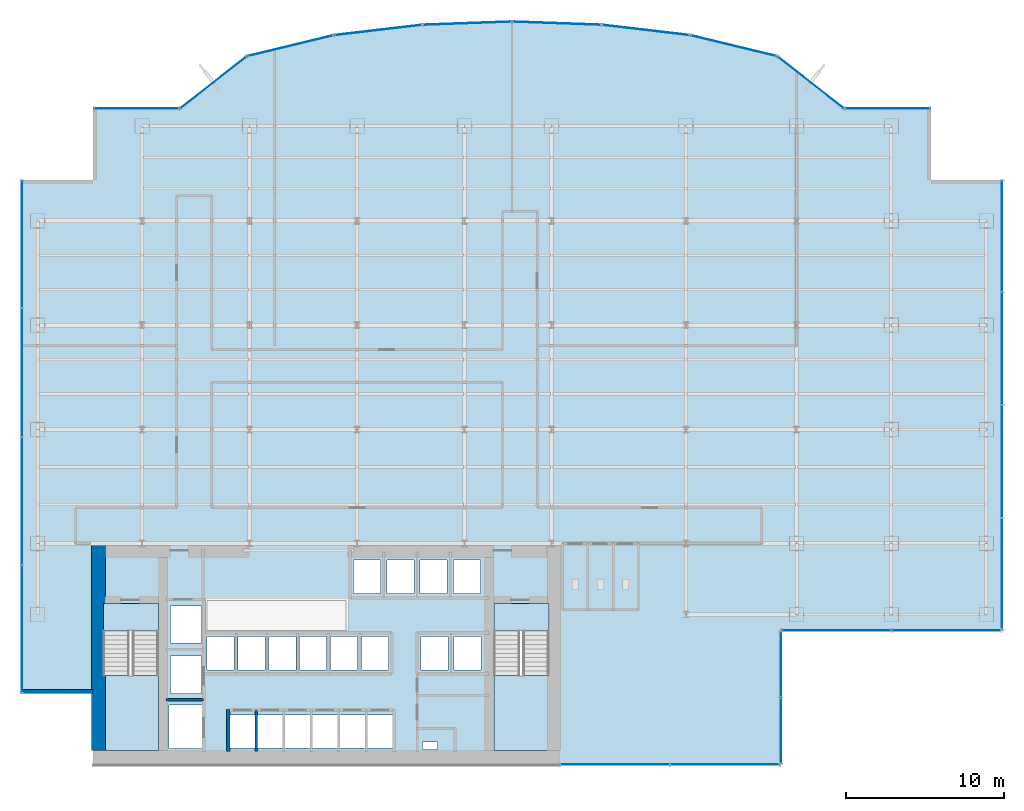
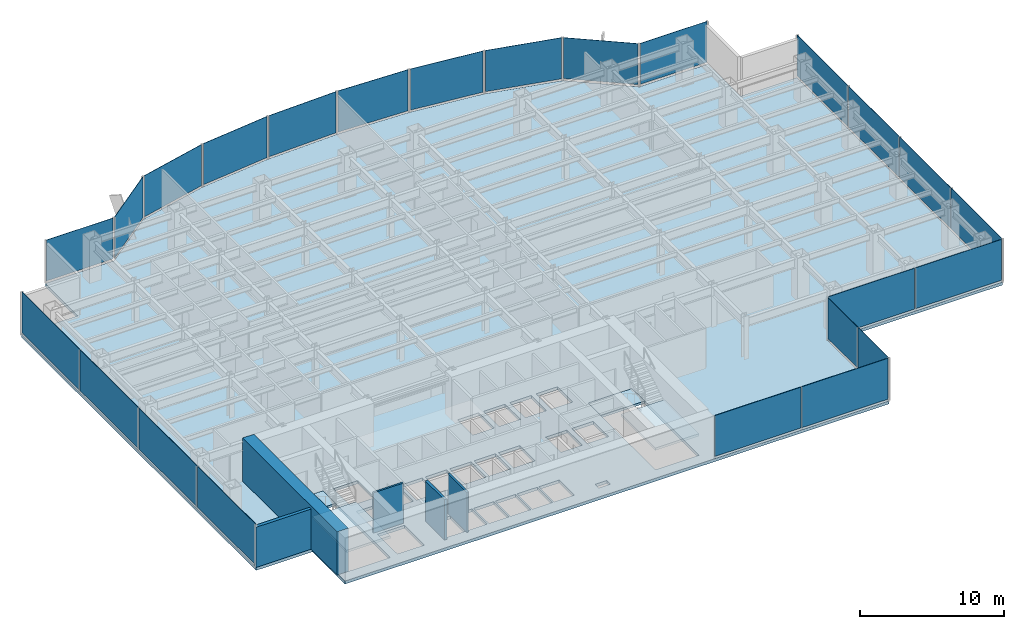
# One storey, part 17 of 23: 24 plates, 5 slabs, 5 walls, 17 elements without a shape of their own.
"""IFC4 building model written with IfcOpenShell, lengths in metres."""

from ifc_helpers import new_model, si_unit, derived_unit, direction, frame, frame_2d, origin, origin_2d, place, context, subcontext, project, spatial, polyline, rectangle, outline, extrude, source, transform, mapped, material, layer, layer_set, type_object, element, aggregate, save


model = new_model("IFC4")

# Units and contexts
model_context = context("Model", 3, precision=1e-05, world=origin(), true_north=direction((0.0, 1.0)))
body_context = subcontext(model_context, "Body", "Model", "MODEL_VIEW")
ifc_project = project(units=[si_unit("LENGTHUNIT", "METRE"), si_unit("AREAUNIT", "SQUARE_METRE"), si_unit("VOLUMEUNIT", "CUBIC_METRE"), si_unit("PLANEANGLEUNIT", "RADIAN"), si_unit("MASSUNIT", "GRAM", prefix="KILO"), derived_unit("THERMALTRANSMITTANCEUNIT", [(si_unit("POWERUNIT", "WATT"), 1), (si_unit("LENGTHUNIT", "METRE"), -2), (si_unit("THERMODYNAMICTEMPERATUREUNIT", "KELVIN"), -1)])], contexts=[model_context])

# Site, building, storey
site_placement = place(None, origin())
site = spatial("IfcSite", under=ifc_project, at=site_placement, CompositionType="ELEMENT")
building_placement = place(site_placement, origin())
building = spatial("IfcBuilding", under=site, at=building_placement, Name="Skarnbrae Concourse Arena and Tower", CompositionType="ELEMENT")
storey_placement = place(building_placement, frame((0.0, 0.0, 43.449951171875)))
storey = spatial("IfcBuildingStorey", under=building, at=storey_placement, Name="L09", CompositionType="ELEMENT", Elevation=43.449951171875)

# Stair, slab
ifc_material_1 = material(Name="Concrete 40 MPa (C40/50)", Category="concrete")
stair_type = type_object("IfcStairType", Name="STAIR-DOGLEG-1650", PredefinedType="HALF_TURN_STAIR", material=ifc_material_1)
stair_1_placement = place(storey_placement, origin())
stair_1 = element("IfcStair", 1, at=stair_1_placement, inside=storey, type_object=stair_type, Name="L09 Protected Exit Stair ST-1", PredefinedType="HALF_TURN_STAIR")
ifc_layer_1 = layer(ifc_material_1, 0.199951171875)
ifc_layer_set_1 = layer_set([ifc_layer_1], Name="Concrete 40 MPa (C40/50)")
slab_type_1 = type_object("IfcSlabType", Name="SLAB-LANDING-200", PredefinedType="LANDING", material=ifc_layer_set_1)
slab_1_placement = place(storey_placement, frame((0.0, 0.0, 1.625)))
slab_1 = element("IfcSlab", 2, at=slab_1_placement, type_object=slab_type_1, Name="ST-1 landing 1", PredefinedType="LANDING", context=body_context, shape_type="SweptSolid", body=[
    extrude(outline(polyline([(5.14990234375, 5.64990234375), (5.14990234375, 0.89990234375), (8.64990234375, 0.89990234375), (8.64990234375, 5.64990234375), (5.14990234375, 5.64990234375)])), origin(), (0.0, 0.0, 1.0), 0.199951171875),
])
aggregate(stair_1, [slab_1])

stair_2_placement = place(storey_placement, origin())
stair_2 = element("IfcStair", 3, at=stair_2_placement, inside=storey, type_object=stair_type, Name="L09 Protected Exit Stair ST-2", PredefinedType="HALF_TURN_STAIR")
slab_2_placement = place(storey_placement, frame((0.0, 0.0, 1.625)))
slab_2 = element("IfcSlab", 4, at=slab_2_placement, type_object=slab_type_1, Name="ST-2 landing 1", PredefinedType="LANDING", context=body_context, shape_type="SweptSolid", body=[
    extrude(outline(polyline([(29.85009765625, 5.64990234375), (29.85009765625, 0.89990234375), (33.35009765625, 0.89990234375), (33.35009765625, 5.64990234375), (29.85009765625, 5.64990234375)])), origin(), (0.0, 0.0, 1.0), 0.199951171875),
])
aggregate(stair_2, [slab_2])

# Slabs
slab_3_placement = place(storey_placement, frame((0.0, 0.0, -0.199951171875)))
element("IfcSlab", 5, at=slab_3_placement, inside=storey, type_object=slab_type_1, Name="L09 Core stair ST1 floor landing", PredefinedType="LANDING", context=body_context, shape_type="SweptSolid", body=[
    extrude(outline(polyline([(5.14990234375, 10.199951171875), (5.14990234375, 8.449951171875), (8.64990234375, 8.449951171875), (8.64990234375, 10.199951171875), (5.14990234375, 10.199951171875)])), origin(), (0.0, 0.0, 1.0), 0.199951171875),
])
slab_4_placement = place(storey_placement, frame((0.0, 0.0, -0.199951171875)))
element("IfcSlab", 6, at=slab_4_placement, inside=storey, type_object=slab_type_1, Name="L09 Core stair ST2 floor landing", PredefinedType="LANDING", context=body_context, shape_type="SweptSolid", body=[
    extrude(outline(polyline([(29.85009765625, 10.199951171875), (29.85009765625, 8.449951171875), (33.35009765625, 8.449951171875), (33.35009765625, 10.199951171875), (29.85009765625, 10.199951171875)])), origin(), (0.0, 0.0, 1.0), 0.199951171875),
])
ifc_layer_2 = layer(ifc_material_1, 0.25)
ifc_layer_set_2 = layer_set([ifc_layer_2], Name="Concrete 40 MPa (C40/50)")
slab_type_2 = type_object("IfcSlabType", Name="SLAB-TOWER-250", PredefinedType="FLOOR", material=ifc_layer_set_2)
slab_5_placement = place(storey_placement, frame((0.0, 0.0, -0.25)))
element("IfcSlab", 7, at=slab_5_placement, inside=storey, type_object=slab_type_2, Name="L09 Structural floor slab", PredefinedType="FLOOR", context=body_context, shape_type="SweptSolid", body=[
    extrude(outline(polyline([(4.5, 0.0), (48.0, 0.0), (48.0, 8.5), (62.0, 8.5), (62.0, 37.0), (57.5, 37.0), (57.5, 41.5), (52.0, 41.5), (47.766357421875, 44.811767578125), (42.2724609375, 46.140380859375), (36.65380859375, 46.796875), (31.0, 47.0), (25.34619140625, 46.796875), (19.7275390625, 46.140380859375), (14.233642578125, 44.811767578125), (10.0, 41.5), (4.5, 41.5), (4.5, 37.0), (0.0, 37.0), (0.0, 4.5), (4.5, 4.5), (4.5, 0.0)]), holes=[polyline([(13.14501953125, 3.155029296875), (14.7548828125, 3.155029296875), (14.7548828125, 1.044921875), (13.14501953125, 1.044921875), (13.14501953125, 3.155029296875)]), polyline([(16.4951171875, 3.155029296875), (16.4951171875, 1.044921875), (14.885009765625, 1.044921875), (14.885009765625, 3.155029296875), (16.4951171875, 3.155029296875)]), polyline([(18.235107421875, 3.155029296875), (18.235107421875, 1.044921875), (16.625, 1.044921875), (16.625, 3.155029296875), (18.235107421875, 3.155029296875)]), polyline([(18.364990234375, 3.155029296875), (19.97509765625, 3.155029296875), (19.97509765625, 1.044921875), (18.364990234375, 1.044921875), (18.364990234375, 3.155029296875)]), polyline([(11.455078125, 3.780029296875), (11.455078125, 1.02001953125), (9.294921875, 1.02001953125), (9.294921875, 3.780029296875), (11.455078125, 3.780029296875)]), polyline([(8.64990234375, 0.89990234375), (5.14990234375, 0.89990234375), (5.14990234375, 10.199951171875), (8.64990234375, 10.199951171875), (8.64990234375, 0.89990234375)]), polyline([(9.39501953125, 6.8798828125), (11.35498046875, 6.8798828125), (11.35498046875, 4.52001953125), (9.39501953125, 4.52001953125), (9.39501953125, 6.8798828125)]), polyline([(13.429931640625, 8.10498046875), (13.429931640625, 5.9951171875), (11.719970703125, 5.9951171875), (11.719970703125, 8.10498046875), (13.429931640625, 8.10498046875)]), polyline([(15.3798828125, 8.10498046875), (15.3798828125, 5.9951171875), (13.669921875, 5.9951171875), (13.669921875, 8.10498046875), (15.3798828125, 8.10498046875)]), polyline([(15.6201171875, 8.10498046875), (17.330078125, 8.10498046875), (17.330078125, 5.9951171875), (15.6201171875, 5.9951171875), (15.6201171875, 8.10498046875)]), polyline([(19.280029296875, 8.10498046875), (19.280029296875, 5.9951171875), (17.570068359375, 5.9951171875), (17.570068359375, 8.10498046875), (19.280029296875, 8.10498046875)]), polyline([(11.35498046875, 10.054931640625), (11.35498046875, 7.695068359375), (9.39501953125, 7.695068359375), (9.39501953125, 10.054931640625), (11.35498046875, 10.054931640625)]), polyline([(25.35009765625, 1.449951171875), (26.280029296875, 1.449951171875), (26.280029296875, 0.949951171875), (25.35009765625, 0.949951171875), (25.35009765625, 1.449951171875)]), polyline([(21.715087890625, 3.155029296875), (21.715087890625, 1.044921875), (20.10498046875, 1.044921875), (20.10498046875, 3.155029296875), (21.715087890625, 3.155029296875)]), polyline([(23.455078125, 3.155029296875), (23.455078125, 1.044921875), (21.844970703125, 1.044921875), (21.844970703125, 3.155029296875), (23.455078125, 3.155029296875)]), polyline([(33.35009765625, 10.199951171875), (33.35009765625, 0.89990234375), (29.85009765625, 0.89990234375), (29.85009765625, 10.199951171875), (33.35009765625, 10.199951171875)]), polyline([(21.22998046875, 8.10498046875), (21.22998046875, 5.9951171875), (19.52001953125, 5.9951171875), (19.52001953125, 8.10498046875), (21.22998046875, 8.10498046875)]), polyline([(23.179931640625, 8.10498046875), (23.179931640625, 5.9951171875), (21.469970703125, 5.9951171875), (21.469970703125, 8.10498046875), (23.179931640625, 8.10498046875)]), polyline([(25.235107421875, 8.10498046875), (26.945068359375, 8.10498046875), (26.945068359375, 5.9951171875), (25.235107421875, 5.9951171875), (25.235107421875, 8.10498046875)]), polyline([(29.044921875, 8.10498046875), (29.044921875, 5.9951171875), (27.3349609375, 5.9951171875), (27.3349609375, 8.10498046875), (29.044921875, 8.10498046875)]), polyline([(22.695068359375, 12.955078125), (22.695068359375, 10.844970703125), (20.985107421875, 10.844970703125), (20.985107421875, 12.955078125), (22.695068359375, 12.955078125)]), polyline([(23.0849609375, 12.955078125), (24.794921875, 12.955078125), (24.794921875, 10.844970703125), (23.0849609375, 10.844970703125), (23.0849609375, 12.955078125)]), polyline([(26.89501953125, 12.955078125), (26.89501953125, 10.844970703125), (25.18505859375, 10.844970703125), (25.18505859375, 12.955078125), (26.89501953125, 12.955078125)]), polyline([(28.9951171875, 12.955078125), (28.9951171875, 10.844970703125), (27.284912109375, 10.844970703125), (27.284912109375, 12.955078125), (28.9951171875, 12.955078125)])]), origin(), (0.0, 0.0, 1.0), 0.25),
])

# Curtain wall, plates
ifc_material_2 = material(Name="Bronze anodised aluminium 6063-T6", Category="aluminium")
curtain_wall_type_1 = type_object("IfcCurtainWallType", Name="CW-SYS-02-LOWZONE", PredefinedType="USERDEFINED", material=ifc_material_2)
curtain_wall_1_placement = place(storey_placement, origin())
curtain_wall_1 = element("IfcCurtainWall", 8, at=curtain_wall_1_placement, inside=storey, type_object=curtain_wall_type_1, Name="L09 Unitised curtain wall CW-L09-SE-SPINE", ObjectType="UNITISED CURTAIN WALL", PredefinedType="USERDEFINED")
ifc_material_3 = material(Name="Low-E triple insulating glass", Category="glass")
ifc_layer_3 = layer(ifc_material_3, 0.031982421875)
ifc_layer_set_3 = layer_set([ifc_layer_3], Name="Low-E triple insulating glass")
plate_type_1 = type_object("IfcPlateType", Name="CWP-CW-02", PredefinedType="CURTAIN_PANEL", material=ifc_layer_set_3)
shared_shape_1 = source(origin(), body_context, "Body", "SweptSolid", [
    extrude(rectangle(XDim=6.8798828125, YDim=0.031982421875, at=origin_2d()), origin(), (0.0, 0.0, 1.0), 3.4599609375),
])
plate_1_placement = place(storey_placement, frame((37.52001953125, 0.0, 0.190185546875), z_axis=(0.0, 0.0, 1.0), x_axis=(1.0, 0.0, 0.0)))
plate_1 = element("IfcPlate", 9, at=plate_1_placement, type_object=plate_type_1, Name="CW-L09-SE-SPINE Low-E Glazing Panel 1", PredefinedType="CURTAIN_PANEL", context=body_context, shape_type="MappedRepresentation", body=[
    mapped(shared_shape_1, transform((0.0, 0.0, 0.0))),
])
plate_2_placement = place(storey_placement, frame((44.47998046875, 0.0, 0.190185546875), z_axis=(0.0, 0.0, 1.0), x_axis=(1.0, 0.0, 0.0)))
plate_2 = element("IfcPlate", 10, at=plate_2_placement, type_object=plate_type_1, Name="CW-L09-SE-SPINE Low-E Glazing Panel 2", PredefinedType="CURTAIN_PANEL", context=body_context, shape_type="MappedRepresentation", body=[
    mapped(shared_shape_1, transform((0.0, 0.0, 0.0))),
])
aggregate(curtain_wall_1, [plate_1, plate_2])

curtain_wall_2_placement = place(storey_placement, origin())
curtain_wall_2 = element("IfcCurtainWall", 11, at=curtain_wall_2_placement, inside=storey, type_object=curtain_wall_type_1, Name="L09 Unitised curtain wall CW-L09-E03", ObjectType="UNITISED CURTAIN WALL", PredefinedType="USERDEFINED")
plate_3_placement = place(storey_placement, frame((51.52001953125, 8.5, 0.190185546875), z_axis=(0.0, 0.0, 1.0), x_axis=(1.0, 0.0, 0.0)))
plate_3 = element("IfcPlate", 12, at=plate_3_placement, type_object=plate_type_1, Name="CW-L09-E03 Low-E Glazing Panel 1", PredefinedType="CURTAIN_PANEL", context=body_context, shape_type="MappedRepresentation", body=[
    mapped(shared_shape_1, transform((0.0, 0.0, 0.0))),
])
plate_4_placement = place(storey_placement, frame((58.47998046875, 8.5, 0.190185546875), z_axis=(0.0, 0.0, 1.0), x_axis=(1.0, 0.0, 0.0)))
plate_4 = element("IfcPlate", 13, at=plate_4_placement, type_object=plate_type_1, Name="CW-L09-E03 Low-E Glazing Panel 2", PredefinedType="CURTAIN_PANEL", context=body_context, shape_type="MappedRepresentation", body=[
    mapped(shared_shape_1, transform((0.0, 0.0, 0.0))),
])
aggregate(curtain_wall_2, [plate_3, plate_4])

curtain_wall_3_placement = place(storey_placement, origin())
curtain_wall_3 = element("IfcCurtainWall", 14, at=curtain_wall_3_placement, inside=storey, type_object=curtain_wall_type_1, Name="L09 Unitised curtain wall CW-L09-E02", ObjectType="UNITISED CURTAIN WALL", PredefinedType="USERDEFINED")
shared_shape_2 = source(origin(), body_context, "Body", "SweptSolid", [
    extrude(rectangle(XDim=4.1298828125, YDim=0.031982421875, at=origin_2d()), origin(), (0.0, 0.0, 1.0), 3.4599609375),
])
plate_5_placement = place(storey_placement, frame((48.0, 2.14501953125, 0.190185546875), z_axis=(0.0, 0.0, 1.0), x_axis=(0.0, 1.0, 0.0)))
plate_5 = element("IfcPlate", 15, at=plate_5_placement, type_object=plate_type_1, Name="CW-L09-E02 Low-E Glazing Panel 1", PredefinedType="CURTAIN_PANEL", context=body_context, shape_type="MappedRepresentation", body=[
    mapped(shared_shape_2, transform((0.0, 0.0, 0.0))),
])
plate_6_placement = place(storey_placement, frame((48.0, 6.35498046875, 0.190185546875), z_axis=(0.0, 0.0, 1.0), x_axis=(0.0, 1.0, 0.0)))
plate_6 = element("IfcPlate", 16, at=plate_6_placement, type_object=plate_type_1, Name="CW-L09-E02 Low-E Glazing Panel 2", PredefinedType="CURTAIN_PANEL", context=body_context, shape_type="MappedRepresentation", body=[
    mapped(shared_shape_2, transform((0.0, 0.0, 0.0))),
])
aggregate(curtain_wall_3, [plate_5, plate_6])

curtain_wall_4_placement = place(storey_placement, origin())
curtain_wall_4 = element("IfcCurtainWall", 17, at=curtain_wall_4_placement, inside=storey, type_object=curtain_wall_type_1, Name="L09 Unitised curtain wall CW-L09-E04", ObjectType="UNITISED CURTAIN WALL", PredefinedType="USERDEFINED")
shared_shape_3 = source(origin(), body_context, "Body", "SweptSolid", [
    extrude(rectangle(XDim=7.0048828125, YDim=0.031982421875, at=origin_2d()), origin(), (0.0, 0.0, 1.0), 3.4599609375),
])
plate_7_placement = place(storey_placement, frame((62.0, 12.08251953125, 0.190185546875), z_axis=(0.0, 0.0, 1.0), x_axis=(0.0, 1.0, 0.0)))
plate_7 = element("IfcPlate", 18, at=plate_7_placement, type_object=plate_type_1, Name="CW-L09-E04 Low-E Glazing Panel 1", PredefinedType="CURTAIN_PANEL", context=body_context, shape_type="MappedRepresentation", body=[
    mapped(shared_shape_3, transform((0.0, 0.0, 0.0))),
])
plate_8_placement = place(storey_placement, frame((62.0, 33.41748046875, 0.190185546875), z_axis=(0.0, 0.0, 1.0), x_axis=(0.0, 1.0, 0.0)))
plate_8 = element("IfcPlate", 19, at=plate_8_placement, type_object=plate_type_1, Name="CW-L09-E04 Low-E Glazing Panel 4", PredefinedType="CURTAIN_PANEL", context=body_context, shape_type="MappedRepresentation", body=[
    mapped(shared_shape_3, transform((0.0, 0.0, 0.0))),
])
shared_shape_4 = source(origin(), body_context, "Body", "SweptSolid", [
    extrude(rectangle(XDim=7.044921875, YDim=0.031982421875, at=origin_2d()), origin(), (0.0, 0.0, 1.0), 3.4599609375),
])
plate_9_placement = place(storey_placement, frame((62.0, 19.1875, 0.190185546875), z_axis=(0.0, 0.0, 1.0), x_axis=(0.0, 1.0, 0.0)))
plate_9 = element("IfcPlate", 20, at=plate_9_placement, type_object=plate_type_1, Name="CW-L09-E04 Low-E Glazing Panel 2", PredefinedType="CURTAIN_PANEL", context=body_context, shape_type="MappedRepresentation", body=[
    mapped(shared_shape_4, transform((0.0, 0.0, 0.0))),
])
plate_10_placement = place(storey_placement, frame((62.0, 26.3125, 0.190185546875), z_axis=(0.0, 0.0, 1.0), x_axis=(0.0, 1.0, 0.0)))
plate_10 = element("IfcPlate", 21, at=plate_10_placement, type_object=plate_type_1, Name="CW-L09-E04 Low-E Glazing Panel 3", PredefinedType="CURTAIN_PANEL", context=body_context, shape_type="MappedRepresentation", body=[
    mapped(shared_shape_4, transform((0.0, 0.0, 0.0))),
])
aggregate(curtain_wall_4, [plate_7, plate_9, plate_10, plate_8])

# Curtain wall, plate
curtain_wall_5_placement = place(storey_placement, origin())
curtain_wall_5 = element("IfcCurtainWall", 22, at=curtain_wall_5_placement, inside=storey, type_object=curtain_wall_type_1, Name="L09 Unitised curtain wall CW-L09-E07", ObjectType="UNITISED CURTAIN WALL", PredefinedType="USERDEFINED")
shared_shape_5 = source(origin(), body_context, "Body", "SweptSolid", [
    extrude(rectangle(XDim=5.340087890625, YDim=0.031982421875, at=origin_2d()), origin(), (0.0, 0.0, 1.0), 3.4599609375),
])
plate_11_placement = place(storey_placement, frame((54.75, 41.5, 0.190185546875), z_axis=(0.0, 0.0, 1.0), x_axis=(-1.0, 0.0, 0.0)))
plate_11 = element("IfcPlate", 23, at=plate_11_placement, type_object=plate_type_1, Name="CW-L09-E07 Low-E Glazing Panel 1", PredefinedType="CURTAIN_PANEL", context=body_context, shape_type="MappedRepresentation", body=[
    mapped(shared_shape_5, transform((0.0, 0.0, 0.0))),
])
aggregate(curtain_wall_5, [plate_11])

curtain_wall_6_placement = place(storey_placement, origin())
curtain_wall_6 = element("IfcCurtainWall", 24, at=curtain_wall_6_placement, inside=storey, type_object=curtain_wall_type_1, Name="L09 Unitised curtain wall CW-L09-E16", ObjectType="UNITISED CURTAIN WALL", PredefinedType="USERDEFINED")
plate_12_placement = place(storey_placement, frame((7.25, 41.5, 0.190185546875), z_axis=(0.0, 0.0, 1.0), x_axis=(-1.0, 0.0, 0.0)))
plate_12 = element("IfcPlate", 25, at=plate_12_placement, type_object=plate_type_1, Name="CW-L09-E16 Low-E Glazing Panel 1", PredefinedType="CURTAIN_PANEL", context=body_context, shape_type="MappedRepresentation", body=[
    mapped(shared_shape_5, transform((0.0, 0.0, 0.0))),
])
aggregate(curtain_wall_6, [plate_12])

curtain_wall_7_placement = place(storey_placement, origin())
curtain_wall_7 = element("IfcCurtainWall", 26, at=curtain_wall_7_placement, inside=storey, type_object=curtain_wall_type_1, Name="L09 Unitised curtain wall CW-L09-E08", ObjectType="UNITISED CURTAIN WALL", PredefinedType="USERDEFINED")
shared_shape_6 = source(origin(), body_context, "Body", "SweptSolid", [
    extrude(rectangle(XDim=5.215087890625, YDim=0.031982421875, at=origin_2d()), origin(), (0.0, 0.0, 1.0), 3.4599609375),
])
plate_13_placement = place(storey_placement, frame((49.88330078125, 43.156005859375, 0.190185546875), z_axis=(0.0, 0.0, 1.0), x_axis=(-0.787651726054, 0.616120733658, 0.0)))
plate_13 = element("IfcPlate", 27, at=plate_13_placement, type_object=plate_type_1, Name="CW-L09-E08 Low-E Glazing Panel 1", PredefinedType="CURTAIN_PANEL", context=body_context, shape_type="MappedRepresentation", body=[
    mapped(shared_shape_6, transform((0.0, 0.0, 0.0))),
])
aggregate(curtain_wall_7, [plate_13])

curtain_wall_8_placement = place(storey_placement, origin())
curtain_wall_8 = element("IfcCurtainWall", 28, at=curtain_wall_8_placement, inside=storey, type_object=curtain_wall_type_1, Name="L09 Unitised curtain wall CW-L09-E15", ObjectType="UNITISED CURTAIN WALL", PredefinedType="USERDEFINED")
plate_14_placement = place(storey_placement, frame((12.11669921875, 43.156005859375, 0.190185546875), z_axis=(0.0, 0.0, 1.0), x_axis=(-0.787651726054, -0.616120733658, 0.0)))
plate_14 = element("IfcPlate", 29, at=plate_14_placement, type_object=plate_type_1, Name="CW-L09-E15 Low-E Glazing Panel 1", PredefinedType="CURTAIN_PANEL", context=body_context, shape_type="MappedRepresentation", body=[
    mapped(shared_shape_6, transform((0.0, 0.0, 0.0))),
])
aggregate(curtain_wall_8, [plate_14])

# Curtain wall, plates
curtain_wall_9_placement = place(storey_placement, origin())
curtain_wall_9 = element("IfcCurtainWall", 30, at=curtain_wall_9_placement, inside=storey, type_object=curtain_wall_type_1, Name="L09 Unitised curtain wall CW-L09-E19", ObjectType="UNITISED CURTAIN WALL", PredefinedType="USERDEFINED")
shared_shape_7 = source(origin(), body_context, "Body", "SweptSolid", [
    extrude(rectangle(XDim=8.0048828125, YDim=0.031982421875, at=origin_2d()), origin(), (0.0, 0.0, 1.0), 3.4599609375),
])
plate_15_placement = place(storey_placement, frame((0.0, 32.91748046875, 0.190185546875), z_axis=(0.0, 0.0, 1.0), x_axis=(0.0, -1.0, 0.0)))
plate_15 = element("IfcPlate", 31, at=plate_15_placement, type_object=plate_type_1, Name="CW-L09-E19 Low-E Glazing Panel 1", PredefinedType="CURTAIN_PANEL", context=body_context, shape_type="MappedRepresentation", body=[
    mapped(shared_shape_7, transform((0.0, 0.0, 0.0))),
])
plate_16_placement = place(storey_placement, frame((0.0, 8.58251953125, 0.190185546875), z_axis=(0.0, 0.0, 1.0), x_axis=(0.0, -1.0, 0.0)))
plate_16 = element("IfcPlate", 32, at=plate_16_placement, type_object=plate_type_1, Name="CW-L09-E19 Low-E Glazing Panel 4", PredefinedType="CURTAIN_PANEL", context=body_context, shape_type="MappedRepresentation", body=[
    mapped(shared_shape_7, transform((0.0, 0.0, 0.0))),
])
shared_shape_8 = source(origin(), body_context, "Body", "SweptSolid", [
    extrude(rectangle(XDim=8.044921875, YDim=0.031982421875, at=origin_2d()), origin(), (0.0, 0.0, 1.0), 3.4599609375),
])
plate_17_placement = place(storey_placement, frame((0.0, 24.8125, 0.190185546875), z_axis=(0.0, 0.0, 1.0), x_axis=(0.0, -1.0, 0.0)))
plate_17 = element("IfcPlate", 33, at=plate_17_placement, type_object=plate_type_1, Name="CW-L09-E19 Low-E Glazing Panel 2", PredefinedType="CURTAIN_PANEL", context=body_context, shape_type="MappedRepresentation", body=[
    mapped(shared_shape_8, transform((0.0, 0.0, 0.0))),
])
plate_18_placement = place(storey_placement, frame((0.0, 16.6875, 0.190185546875), z_axis=(0.0, 0.0, 1.0), x_axis=(0.0, -1.0, 0.0)))
plate_18 = element("IfcPlate", 34, at=plate_18_placement, type_object=plate_type_1, Name="CW-L09-E19 Low-E Glazing Panel 3", PredefinedType="CURTAIN_PANEL", context=body_context, shape_type="MappedRepresentation", body=[
    mapped(shared_shape_8, transform((0.0, 0.0, 0.0))),
])
aggregate(curtain_wall_9, [plate_15, plate_17, plate_18, plate_16])

# Curtain wall, plate
curtain_wall_type_2 = type_object("IfcCurtainWallType", Name="CW-SYS-03-PORTAL", PredefinedType="USERDEFINED", material=ifc_material_2)
curtain_wall_10_placement = place(storey_placement, origin())
curtain_wall_10 = element("IfcCurtainWall", 35, at=curtain_wall_10_placement, inside=storey, type_object=curtain_wall_type_2, Name="L09 Unitised curtain wall CW-L09-E09", ObjectType="UNITISED CURTAIN WALL", PredefinedType="USERDEFINED")
ifc_layer_4 = layer(ifc_material_3, 0.033935546875)
ifc_layer_set_4 = layer_set([ifc_layer_4], Name="Low-E triple insulating glass")
plate_type_2 = type_object("IfcPlateType", Name="CWP-CW-03", PredefinedType="CURTAIN_PANEL", material=ifc_layer_set_4)
shared_shape_9 = source(origin(), body_context, "Body", "SweptSolid", [
    extrude(rectangle(XDim=5.4921875, YDim=0.033935546875, at=origin_2d()), origin(), (0.0, 0.0, 1.0), 3.47998046875),
])
plate_19_placement = place(storey_placement, frame((45.019287109375, 45.47607421875, 0.170166015625), z_axis=(0.0, 0.0, 1.0), x_axis=(-0.971973721569, 0.235089524607, 0.0)))
plate_19 = element("IfcPlate", 36, at=plate_19_placement, type_object=plate_type_2, Name="CW-L09-E09 Low-E Glazing Panel 1", PredefinedType="CURTAIN_PANEL", context=body_context, shape_type="MappedRepresentation", body=[
    mapped(shared_shape_9, transform((0.0, 0.0, 0.0))),
])
aggregate(curtain_wall_10, [plate_19])

curtain_wall_11_placement = place(storey_placement, origin())
curtain_wall_11 = element("IfcCurtainWall", 37, at=curtain_wall_11_placement, inside=storey, type_object=curtain_wall_type_2, Name="L09 Unitised curtain wall CW-L09-E14", ObjectType="UNITISED CURTAIN WALL", PredefinedType="USERDEFINED")
plate_20_placement = place(storey_placement, frame((16.980712890625, 45.47607421875, 0.170166015625), z_axis=(0.0, 0.0, 1.0), x_axis=(-0.971973721569, -0.235089524607, 0.0)))
plate_20 = element("IfcPlate", 38, at=plate_20_placement, type_object=plate_type_2, Name="CW-L09-E14 Low-E Glazing Panel 1", PredefinedType="CURTAIN_PANEL", context=body_context, shape_type="MappedRepresentation", body=[
    mapped(shared_shape_9, transform((0.0, 0.0, 0.0))),
])
aggregate(curtain_wall_11, [plate_20])

curtain_wall_12_placement = place(storey_placement, origin())
curtain_wall_12 = element("IfcCurtainWall", 39, at=curtain_wall_12_placement, inside=storey, type_object=curtain_wall_type_2, Name="L09 Unitised curtain wall CW-L09-E10", ObjectType="UNITISED CURTAIN WALL", PredefinedType="USERDEFINED")
shared_shape_10 = source(origin(), body_context, "Body", "SweptSolid", [
    extrude(rectangle(XDim=5.49658203125, YDim=0.033935546875, at=origin_2d()), origin(), (0.0, 0.0, 1.0), 3.47998046875),
])
plate_21_placement = place(storey_placement, frame((39.463134765625, 46.46875, 0.170166015625), z_axis=(0.0, 0.0, 1.0), x_axis=(-0.99324457001, 0.116039752435, 0.0)))
plate_21 = element("IfcPlate", 40, at=plate_21_placement, type_object=plate_type_2, Name="CW-L09-E10 Low-E Glazing Panel 1", PredefinedType="CURTAIN_PANEL", context=body_context, shape_type="MappedRepresentation", body=[
    mapped(shared_shape_10, transform((0.0, 0.0, 0.0))),
])
aggregate(curtain_wall_12, [plate_21])

curtain_wall_13_placement = place(storey_placement, origin())
curtain_wall_13 = element("IfcCurtainWall", 41, at=curtain_wall_13_placement, inside=storey, type_object=curtain_wall_type_2, Name="L09 Unitised curtain wall CW-L09-E13", ObjectType="UNITISED CURTAIN WALL", PredefinedType="USERDEFINED")
plate_22_placement = place(storey_placement, frame((22.536865234375, 46.46875, 0.170166015625), z_axis=(0.0, 0.0, 1.0), x_axis=(-0.99324457001, -0.116039752435, 0.0)))
plate_22 = element("IfcPlate", 42, at=plate_22_placement, type_object=plate_type_2, Name="CW-L09-E13 Low-E Glazing Panel 1", PredefinedType="CURTAIN_PANEL", context=body_context, shape_type="MappedRepresentation", body=[
    mapped(shared_shape_10, transform((0.0, 0.0, 0.0))),
])
aggregate(curtain_wall_13, [plate_22])

curtain_wall_14_placement = place(storey_placement, origin())
curtain_wall_14 = element("IfcCurtainWall", 43, at=curtain_wall_14_placement, inside=storey, type_object=curtain_wall_type_2, Name="L09 Unitised curtain wall CW-L09-E11", ObjectType="UNITISED CURTAIN WALL", PredefinedType="USERDEFINED")
shared_shape_11 = source(origin(), body_context, "Body", "SweptSolid", [
    extrude(rectangle(XDim=5.49755859375, YDim=0.033935546875, at=origin_2d()), origin(), (0.0, 0.0, 1.0), 3.47998046875),
])
plate_23_placement = place(storey_placement, frame((33.826904296875, 46.8984375, 0.170166015625), z_axis=(0.0, 0.0, 1.0), x_axis=(-0.999355425188, 0.035898943527, 0.0)))
plate_23 = element("IfcPlate", 44, at=plate_23_placement, type_object=plate_type_2, Name="CW-L09-E11 Low-E Glazing Panel 1", PredefinedType="CURTAIN_PANEL", context=body_context, shape_type="MappedRepresentation", body=[
    mapped(shared_shape_11, transform((0.0, 0.0, 0.0))),
])
aggregate(curtain_wall_14, [plate_23])

curtain_wall_15_placement = place(storey_placement, origin())
curtain_wall_15 = element("IfcCurtainWall", 45, at=curtain_wall_15_placement, inside=storey, type_object=curtain_wall_type_2, Name="L09 Unitised curtain wall CW-L09-E12", ObjectType="UNITISED CURTAIN WALL", PredefinedType="USERDEFINED")
plate_24_placement = place(storey_placement, frame((28.173095703125, 46.8984375, 0.170166015625), z_axis=(0.0, 0.0, 1.0), x_axis=(-0.999355425188, -0.035898943527, 0.0)))
plate_24 = element("IfcPlate", 46, at=plate_24_placement, type_object=plate_type_2, Name="CW-L09-E12 Low-E Glazing Panel 1", PredefinedType="CURTAIN_PANEL", context=body_context, shape_type="MappedRepresentation", body=[
    mapped(shared_shape_11, transform((0.0, 0.0, 0.0))),
])
aggregate(curtain_wall_15, [plate_24])

# Walls
ifc_material_4 = material(Name="Concrete 70 MPa (C70/85)", Category="concrete")
ifc_layer_5 = layer(ifc_material_4, 0.89990234375)
ifc_layer_set_5 = layer_set([ifc_layer_5], Name="Concrete 70 MPa (C70/85)")
wall_type_1 = type_object("IfcWallType", Name="WALL-CORE-900-C70", PredefinedType="SHEAR", material=ifc_layer_set_5)
shared_shape_12 = source(origin(), body_context, "Body", "SweptSolid", [
    extrude(rectangle(XDim=13.10009765625, YDim=0.89990234375, at=frame_2d((6.550048828125, 0.0))), origin(), (0.0, 0.0, 1.0), 3.650146484375),
])
wall_1_placement = place(storey_placement, frame((4.85009765625, 0.89990234375, 0.0), z_axis=(0.0, 0.0, 1.0), x_axis=(0.0, 1.0, 0.0)))
element("IfcWall", 47, at=wall_1_placement, inside=storey, type_object=wall_type_1, Name="L09 Rear core shear wall CW-W", PredefinedType="SHEAR", context=body_context, shape_type="MappedRepresentation", body=[
    mapped(shared_shape_12, transform((0.0, 0.0, 0.0))),
])
ifc_material_5 = material(Name="Precast concrete 40 MPa (C40/50)", Category="concrete")
ifc_layer_6 = layer(ifc_material_5, 0.25)
ifc_layer_set_6 = layer_set([ifc_layer_6], Name="Precast concrete 40 MPa (C40/50)")
wall_type_2 = type_object("IfcWallType", Name="WALL-EXT-SPANDREL-250", PredefinedType="STANDARD", material=ifc_layer_set_6)
shared_shape_13 = source(origin(), body_context, "Body", "SweptSolid", [
    extrude(rectangle(XDim=4.5, YDim=0.25, at=frame_2d((2.25, 0.0))), origin(), (0.0, 0.0, 1.0), 3.400146484375),
])
wall_2_placement = place(storey_placement, frame((0.0, 4.625, 0.0), z_axis=(0.0, 0.0, 1.0), x_axis=(1.0, 0.0, 0.0)))
element("IfcWall", 48, at=wall_2_placement, inside=storey, type_object=wall_type_2, Name="L09 Notched corner insulated return wall 20", PredefinedType="STANDARD", context=body_context, shape_type="MappedRepresentation", body=[
    mapped(shared_shape_13, transform((0.0, 0.0, 0.0))),
])
ifc_material_6 = material(Name="Gypsum board on cold-formed steel studs", Category="steel")
ifc_layer_7 = layer(ifc_material_6, 0.14990234375)
ifc_layer_set_7 = layer_set([ifc_layer_7], Name="Gypsum board on cold-formed steel studs")
wall_type_3 = type_object("IfcWallType", Name="WALL-PART-150", PredefinedType="PARTITIONING", material=ifc_layer_set_7)
shared_shape_14 = source(origin(), body_context, "Body", "SweptSolid", [
    extrude(rectangle(XDim=2.39990234375, YDim=0.14990234375, at=frame_2d((1.199951171875, 0.0))), origin(), (0.0, 0.0, 1.0), 3.400146484375),
])
wall_3_placement = place(storey_placement, frame((9.10009765625, 4.10009765625, 0.0), z_axis=(0.0, 0.0, 1.0), x_axis=(1.0, 0.0, 0.0)))
element("IfcWall", 49, at=wall_3_placement, inside=storey, type_object=wall_type_3, Name="L09 Interior partition wall W-L09-FL-D1", PredefinedType="PARTITIONING", context=body_context, shape_type="MappedRepresentation", body=[
    mapped(shared_shape_14, transform((0.0, 0.0, 0.0))),
])
ifc_layer_8 = layer(ifc_material_6, 0.199951171875)
ifc_layer_set_8 = layer_set([ifc_layer_8], Name="Gypsum board on cold-formed steel studs")
wall_type_4 = type_object("IfcWallType", Name="WALL-PART-200-2HR", PredefinedType="PARTITIONING", material=ifc_layer_set_8)
shared_shape_15 = source(origin(), body_context, "Body", "SweptSolid", [
    extrude(rectangle(XDim=2.64990234375, YDim=0.199951171875, at=frame_2d((1.324951171875, 0.0))), origin(), (0.0, 0.0, 1.0), 3.400146484375),
])
wall_4_placement = place(storey_placement, frame((13.050048828125, 0.85009765625, 0.0), z_axis=(0.0, 0.0, 1.0), x_axis=(0.0, 1.0, 0.0)))
element("IfcWall", 50, at=wall_4_placement, inside=storey, type_object=wall_type_4, Name="L09 Interior partition wall W-L09-B1-W", PredefinedType="PARTITIONING", context=body_context, shape_type="MappedRepresentation", body=[
    mapped(shared_shape_15, transform((0.0, 0.0, 0.0))),
])
shared_shape_16 = source(origin(), body_context, "Body", "SweptSolid", [
    extrude(rectangle(XDim=2.599853515625, YDim=0.14990234375, at=frame_2d((1.2998046875, 0.0))), origin(), (0.0, 0.0, 1.0), 3.400146484375),
])
wall_5_placement = place(storey_placement, frame((14.820068359375, 0.85009765625, 0.0), z_axis=(0.0, 0.0, 1.0), x_axis=(0.0, 1.0, 0.0)))
element("IfcWall", 51, at=wall_5_placement, inside=storey, type_object=wall_type_3, Name="L09 Interior partition wall W-L09-B1-P1", PredefinedType="PARTITIONING", context=body_context, shape_type="MappedRepresentation", body=[
    mapped(shared_shape_16, transform((0.0, 0.0, 0.0))),
])

save(model, "model.ifc")
